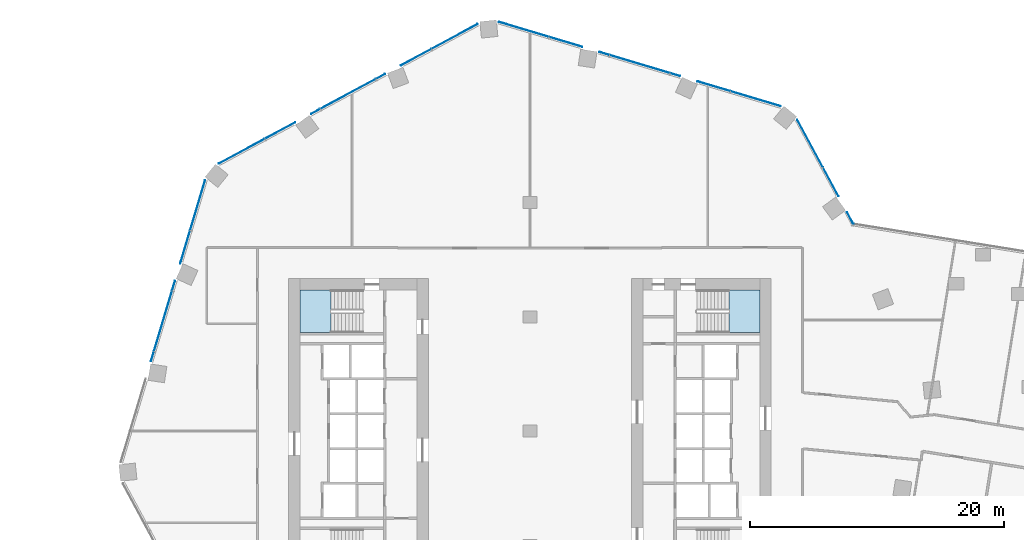
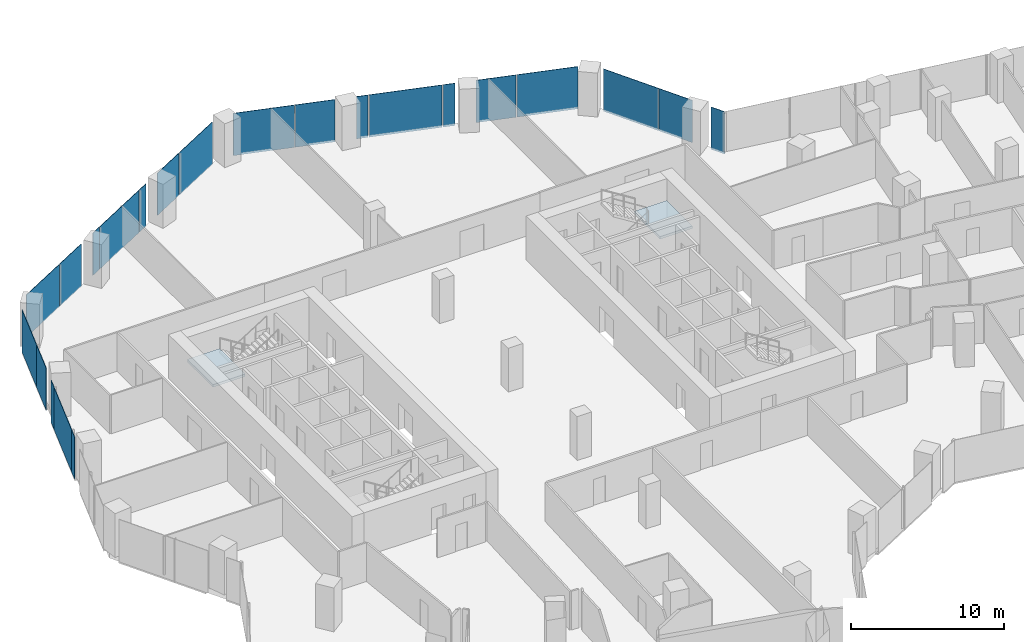
# One storey, part 23 of 34: 22 plates, 2 slabs, 6 elements without a shape of their own.
"""IFC4 building model written with IfcOpenShell, lengths in metres."""

from ifc_helpers import new_model, si_unit, direction, frame, origin, origin_2d, place, context, subcontext, project, spatial, polyline, rectangle, outline, extrude, material, layer, layer_set, type_object, element, aggregate, save


model = new_model("IFC4")

# Units and contexts
model_context = context("Model", 3, precision=1e-05, world=origin(), true_north=direction((0.0, 1.0)))
body_context = subcontext(model_context, "Body", "Model", "MODEL_VIEW")
ifc_project = project(units=[si_unit("LENGTHUNIT", "METRE"), si_unit("AREAUNIT", "SQUARE_METRE"), si_unit("VOLUMEUNIT", "CUBIC_METRE"), si_unit("PLANEANGLEUNIT", "RADIAN"), si_unit("MASSUNIT", "GRAM", prefix="KILO")], contexts=[model_context])

# Site, building, storey
site_placement = place(None, origin())
site = spatial("IfcSite", under=ifc_project, at=site_placement, CompositionType="ELEMENT")
building_placement = place(site_placement, origin())
building = spatial("IfcBuilding", under=site, at=building_placement, Name="Orlundy Tower", CompositionType="ELEMENT")
storey_placement = place(building_placement, frame((0.0, 0.0, 130.699951171875)))
storey = spatial("IfcBuildingStorey", under=building, at=storey_placement, Name="L33", CompositionType="ELEMENT", Elevation=130.699951171875)

# Curtain wall, plates
ifc_material_1 = material(Name="Aluminium bronze anodised", Category="aluminium")
curtain_wall_type = type_object("IfcCurtainWallType", Name="CW1 wall", PredefinedType="NOTDEFINED", material=ifc_material_1)
curtain_wall_1_placement = place(storey_placement, origin())
curtain_wall_1 = element("IfcCurtainWall", 1, at=curtain_wall_1_placement, inside=storey, type_object=curtain_wall_type, Name="CW1 run 02", PredefinedType="NOTDEFINED")
ifc_material_2 = material(Name="Tinted glass", Category="glass")
ifc_layer_1 = layer(ifc_material_2, 0.031982421875)
ifc_layer_set_1 = layer_set([ifc_layer_1], Name="CW1 glass panel 32")
plate_type = type_object("IfcPlateType", Name="CW1 glass panel 32", PredefinedType="CURTAIN_PANEL", material=ifc_layer_set_1)
plate_1_placement = place(storey_placement, frame((-29.731201171875, 5.86474609375, -0.27978515625), z_axis=(0.0, 0.0, 1.0), x_axis=(0.286816257107, 0.957985612971, 0.0)))
plate_1 = element("IfcPlate", 2, at=plate_1_placement, type_object=plate_type, Name="CW1 panel", PredefinedType="CURTAIN_PANEL", context=body_context, shape_type="SweptSolid", body=[
    extrude(rectangle(XDim=0.796630859375, YDim=0.031982421875, at=origin_2d()), origin(), (0.0, 0.0, 1.0), 3.3798828125),
])
plate_2_placement = place(storey_placement, frame((-28.897216796875, 8.651123046875, -0.27978515625), z_axis=(0.0, 0.0, 1.0), x_axis=(0.286816257107, 0.957985612971, 0.0)))
plate_2 = element("IfcPlate", 3, at=plate_2_placement, type_object=plate_type, Name="CW1 panel", PredefinedType="CURTAIN_PANEL", context=body_context, shape_type="SweptSolid", body=[
    extrude(rectangle(XDim=4.92041015625, YDim=0.031982421875, at=origin_2d()), origin(), (0.0, 0.0, 1.0), 3.3798828125),
])
plate_3_placement = place(storey_placement, frame((-28.06298828125, 11.4375, -0.27978515625), z_axis=(0.0, 0.0, 1.0), x_axis=(0.286816257107, 0.957985612971, 0.0)))
plate_3 = element("IfcPlate", 4, at=plate_3_placement, type_object=plate_type, Name="CW1 panel", PredefinedType="CURTAIN_PANEL", context=body_context, shape_type="SweptSolid", body=[
    extrude(rectangle(XDim=0.796875, YDim=0.031982421875, at=origin_2d()), origin(), (0.0, 0.0, 1.0), 3.3798828125),
])
plate_4_placement = place(storey_placement, frame((-27.1513671875, 14.481689453125, -0.27978515625), z_axis=(0.0, 0.0, 1.0), x_axis=(0.286816257107, 0.957985612971, 0.0)))
plate_4 = element("IfcPlate", 5, at=plate_4_placement, type_object=plate_type, Name="CW1 panel", PredefinedType="CURTAIN_PANEL", context=body_context, shape_type="SweptSolid", body=[
    extrude(rectangle(XDim=2.6884765625, YDim=0.031982421875, at=origin_2d()), origin(), (0.0, 0.0, 1.0), 3.3798828125),
])
plate_5_placement = place(storey_placement, frame((-26.16455078125, 17.7783203125, -0.27978515625), z_axis=(0.0, 0.0, 1.0), x_axis=(0.286816257107, 0.957985612971, 0.0)))
plate_5 = element("IfcPlate", 6, at=plate_5_placement, type_object=plate_type, Name="CW1 panel", PredefinedType="CURTAIN_PANEL", context=body_context, shape_type="SweptSolid", body=[
    extrude(rectangle(XDim=4.09375, YDim=0.031982421875, at=origin_2d()), origin(), (0.0, 0.0, 1.0), 3.3798828125),
])
aggregate(curtain_wall_1, [plate_1, plate_2, plate_3, plate_4, plate_5])

curtain_wall_2_placement = place(storey_placement, origin())
curtain_wall_2 = element("IfcCurtainWall", 7, at=curtain_wall_2_placement, inside=storey, type_object=curtain_wall_type, Name="CW1 run 03", PredefinedType="NOTDEFINED")
plate_6_placement = place(storey_placement, frame((-22.701904296875, 22.0283203125, -0.27978515625), z_axis=(0.0, 0.0, 1.0), x_axis=(0.880191882793, 0.47461800373, 0.0)))
plate_6 = element("IfcPlate", 8, at=plate_6_placement, type_object=plate_type, Name="CW1 panel", PredefinedType="CURTAIN_PANEL", context=body_context, shape_type="SweptSolid", body=[
    extrude(rectangle(XDim=4.09326171875, YDim=0.031982421875, at=origin_2d()), origin(), (0.0, 0.0, 1.0), 3.3798828125),
])
plate_7_placement = place(storey_placement, frame((-19.67138671875, 23.662353515625, -0.27978515625), z_axis=(0.0, 0.0, 1.0), x_axis=(0.880191882793, 0.47461800373, 0.0)))
plate_7 = element("IfcPlate", 9, at=plate_7_placement, type_object=plate_type, Name="CW1 panel", PredefinedType="CURTAIN_PANEL", context=body_context, shape_type="SweptSolid", body=[
    extrude(rectangle(XDim=2.69287109375, YDim=0.031982421875, at=origin_2d()), origin(), (0.0, 0.0, 1.0), 3.3798828125),
])
plate_8_placement = place(storey_placement, frame((-16.8759765625, 25.169921875, -0.27978515625), z_axis=(0.0, 0.0, 1.0), x_axis=(0.880191882793, 0.47461800373, 0.0)))
plate_8 = element("IfcPlate", 10, at=plate_8_placement, type_object=plate_type, Name="CW1 panel", PredefinedType="CURTAIN_PANEL", context=body_context, shape_type="SweptSolid", body=[
    extrude(rectangle(XDim=0.79638671875, YDim=0.031982421875, at=origin_2d()), origin(), (0.0, 0.0, 1.0), 3.3798828125),
])
plate_9_placement = place(storey_placement, frame((-14.31591796875, 26.55029296875, -0.27978515625), z_axis=(0.0, 0.0, 1.0), x_axis=(0.880191882793, 0.47461800373, 0.0)))
plate_9 = element("IfcPlate", 11, at=plate_9_placement, type_object=plate_type, Name="CW1 panel", PredefinedType="CURTAIN_PANEL", context=body_context, shape_type="SweptSolid", body=[
    extrude(rectangle(XDim=4.920654296875, YDim=0.031982421875, at=origin_2d()), origin(), (0.0, 0.0, 1.0), 3.3798828125),
])
plate_10_placement = place(storey_placement, frame((-11.755615234375, 27.930908203125, -0.27978515625), z_axis=(0.0, 0.0, 1.0), x_axis=(0.880191882793, 0.47461800373, 0.0)))
plate_10 = element("IfcPlate", 12, at=plate_10_placement, type_object=plate_type, Name="CW1 panel", PredefinedType="CURTAIN_PANEL", context=body_context, shape_type="SweptSolid", body=[
    extrude(rectangle(XDim=0.79638671875, YDim=0.031982421875, at=origin_2d()), origin(), (0.0, 0.0, 1.0), 3.3798828125),
])
plate_11_placement = place(storey_placement, frame((-8.9609375, 29.437744140625, -0.27978515625), z_axis=(0.0, 0.0, 1.0), x_axis=(0.880191882793, 0.47461800373, 0.0)))
plate_11 = element("IfcPlate", 13, at=plate_11_placement, type_object=plate_type, Name="CW1 panel", PredefinedType="CURTAIN_PANEL", context=body_context, shape_type="SweptSolid", body=[
    extrude(rectangle(XDim=2.69482421875, YDim=0.031982421875, at=origin_2d()), origin(), (0.0, 0.0, 1.0), 3.3798828125),
])
plate_12_placement = place(storey_placement, frame((-5.929443359375, 31.072509765625, -0.27978515625), z_axis=(0.0, 0.0, 1.0), x_axis=(0.880191882793, 0.47461800373, 0.0)))
plate_12 = element("IfcPlate", 14, at=plate_12_placement, type_object=plate_type, Name="CW1 panel", PredefinedType="CURTAIN_PANEL", context=body_context, shape_type="SweptSolid", body=[
    extrude(rectangle(XDim=4.09375, YDim=0.031982421875, at=origin_2d()), origin(), (0.0, 0.0, 1.0), 3.3798828125),
])
aggregate(curtain_wall_2, [plate_6, plate_7, plate_8, plate_9, plate_10, plate_11, plate_12])

curtain_wall_3_placement = place(storey_placement, origin())
curtain_wall_3 = element("IfcCurtainWall", 15, at=curtain_wall_3_placement, inside=storey, type_object=curtain_wall_type, Name="CW1 run 04", PredefinedType="NOTDEFINED")
plate_13_placement = place(storey_placement, frame((-0.47607421875, 31.629638671875, -0.27978515625), z_axis=(0.0, 0.0, 1.0), x_axis=(0.957985612971, -0.286816257107, 0.0)))
plate_13 = element("IfcPlate", 16, at=plate_13_placement, type_object=plate_type, Name="CW1 panel", PredefinedType="CURTAIN_PANEL", context=body_context, shape_type="SweptSolid", body=[
    extrude(rectangle(XDim=4.09326171875, YDim=0.031982421875, at=origin_2d()), origin(), (0.0, 0.0, 1.0), 3.3798828125),
])
plate_14_placement = place(storey_placement, frame((2.822998046875, 30.64208984375, -0.27978515625), z_axis=(0.0, 0.0, 1.0), x_axis=(0.957985612971, -0.286816257107, 0.0)))
plate_14 = element("IfcPlate", 17, at=plate_14_placement, type_object=plate_type, Name="CW1 panel", PredefinedType="CURTAIN_PANEL", context=body_context, shape_type="SweptSolid", body=[
    extrude(rectangle(XDim=2.69384765625, YDim=0.031982421875, at=origin_2d()), origin(), (0.0, 0.0, 1.0), 3.3798828125),
])
plate_15_placement = place(storey_placement, frame((5.86474609375, 29.731201171875, -0.27978515625), z_axis=(0.0, 0.0, 1.0), x_axis=(0.957985612971, -0.286816257107, 0.0)))
plate_15 = element("IfcPlate", 18, at=plate_15_placement, type_object=plate_type, Name="CW1 panel", PredefinedType="CURTAIN_PANEL", context=body_context, shape_type="SweptSolid", body=[
    extrude(rectangle(XDim=0.796630859375, YDim=0.031982421875, at=origin_2d()), origin(), (0.0, 0.0, 1.0), 3.3798828125),
])
plate_16_placement = place(storey_placement, frame((8.651123046875, 28.897216796875, -0.27978515625), z_axis=(0.0, 0.0, 1.0), x_axis=(0.957985612971, -0.286816257107, 0.0)))
plate_16 = element("IfcPlate", 19, at=plate_16_placement, type_object=plate_type, Name="CW1 panel", PredefinedType="CURTAIN_PANEL", context=body_context, shape_type="SweptSolid", body=[
    extrude(rectangle(XDim=4.92041015625, YDim=0.031982421875, at=origin_2d()), origin(), (0.0, 0.0, 1.0), 3.3798828125),
])
plate_17_placement = place(storey_placement, frame((11.4375, 28.06298828125, -0.27978515625), z_axis=(0.0, 0.0, 1.0), x_axis=(0.957985612971, -0.286816257107, 0.0)))
plate_17 = element("IfcPlate", 20, at=plate_17_placement, type_object=plate_type, Name="CW1 panel", PredefinedType="CURTAIN_PANEL", context=body_context, shape_type="SweptSolid", body=[
    extrude(rectangle(XDim=0.796875, YDim=0.031982421875, at=origin_2d()), origin(), (0.0, 0.0, 1.0), 3.3798828125),
])
plate_18_placement = place(storey_placement, frame((14.481689453125, 27.1513671875, -0.27978515625), z_axis=(0.0, 0.0, 1.0), x_axis=(0.957985612971, -0.286816257107, 0.0)))
plate_18 = element("IfcPlate", 21, at=plate_18_placement, type_object=plate_type, Name="CW1 panel", PredefinedType="CURTAIN_PANEL", context=body_context, shape_type="SweptSolid", body=[
    extrude(rectangle(XDim=2.6884765625, YDim=0.031982421875, at=origin_2d()), origin(), (0.0, 0.0, 1.0), 3.3798828125),
])
plate_19_placement = place(storey_placement, frame((17.7783203125, 26.16455078125, -0.27978515625), z_axis=(0.0, 0.0, 1.0), x_axis=(0.957985612971, -0.286816257107, 0.0)))
plate_19 = element("IfcPlate", 22, at=plate_19_placement, type_object=plate_type, Name="CW1 panel", PredefinedType="CURTAIN_PANEL", context=body_context, shape_type="SweptSolid", body=[
    extrude(rectangle(XDim=4.09375, YDim=0.031982421875, at=origin_2d()), origin(), (0.0, 0.0, 1.0), 3.3798828125),
])
aggregate(curtain_wall_3, [plate_13, plate_14, plate_15, plate_16, plate_17, plate_18, plate_19])

curtain_wall_4_placement = place(storey_placement, origin())
curtain_wall_4 = element("IfcCurtainWall", 23, at=curtain_wall_4_placement, inside=storey, type_object=curtain_wall_type, Name="CW1 run 05", PredefinedType="NOTDEFINED")
plate_20_placement = place(storey_placement, frame((22.0634765625, 22.636962890625, -0.27978515625), z_axis=(0.0, 0.0, 1.0), x_axis=(0.4746239814, -0.880188659482, 0.0)))
plate_20 = element("IfcPlate", 24, at=plate_20_placement, type_object=plate_type, Name="CW1 panel", PredefinedType="CURTAIN_PANEL", context=body_context, shape_type="SweptSolid", body=[
    extrude(rectangle(XDim=4.2412109375, YDim=0.031982421875, at=origin_2d()), origin(), (0.0, 0.0, 1.0), 3.3798828125),
])
plate_21_placement = place(storey_placement, frame((23.69775390625, 19.606201171875, -0.27978515625), z_axis=(0.0, 0.0, 1.0), x_axis=(0.4746239814, -0.880188659482, 0.0)))
plate_21 = element("IfcPlate", 25, at=plate_21_placement, type_object=plate_type, Name="CW1 panel", PredefinedType="CURTAIN_PANEL", context=body_context, shape_type="SweptSolid", body=[
    extrude(rectangle(XDim=2.545166015625, YDim=0.031982421875, at=origin_2d()), origin(), (0.0, 0.0, 1.0), 3.3798828125),
])
plate_22_placement = place(storey_placement, frame((25.22705078125, 16.770263671875, -0.27978515625), z_axis=(0.0, 0.0, 1.0), x_axis=(0.4746239814, -0.880188659482, 0.0)))
plate_22 = element("IfcPlate", 26, at=plate_22_placement, type_object=plate_type, Name="CW1 panel", PredefinedType="CURTAIN_PANEL", context=body_context, shape_type="SweptSolid", body=[
    extrude(rectangle(XDim=1.03662109375, YDim=0.031982421875, at=origin_2d()), origin(), (0.0, 0.0, 1.0), 3.3798828125),
])
aggregate(curtain_wall_4, [plate_20, plate_21, plate_22])

# Stair, slab
ifc_material_3 = material(Name="Concrete C50/60", Category="concrete")
stair_type = type_object("IfcStairType", Name="Exit Stair 20 risers", PredefinedType="HALF_TURN_STAIR", material=ifc_material_3)
stair_1_placement = place(storey_placement, origin())
stair_1 = element("IfcStair", 27, at=stair_1_placement, inside=storey, type_object=stair_type, Name="L33 Exit Stair ST-W1", PredefinedType="HALF_TURN_STAIR")
ifc_material_4 = material(Name="Concrete C50/60", Category="concrete")
ifc_layer_2 = layer(ifc_material_4, 0.199951171875)
ifc_layer_set_2 = layer_set([ifc_layer_2], Name="Exit Stair Landing")
slab_type = type_object("IfcSlabType", Name="Exit Stair Landing", PredefinedType="LANDING", material=ifc_layer_set_2)
slab_1_placement = place(storey_placement, frame((0.0, 0.0, 1.550048828125)))
slab_1 = element("IfcSlab", 28, at=slab_1_placement, type_object=slab_type, Name="ST-W1 landing 1", PredefinedType="LANDING", context=body_context, shape_type="SweptSolid", body=[
    extrude(outline(polyline([(-15.659912109375, 11.10009765625), (-18.10009765625, 11.10009765625), (-18.10009765625, 7.75), (-15.659912109375, 7.75), (-15.659912109375, 11.10009765625)])), origin(), (0.0, 0.0, 1.0), 0.199951171875),
])
aggregate(stair_1, [slab_1])

stair_2_placement = place(storey_placement, origin())
stair_2 = element("IfcStair", 29, at=stair_2_placement, inside=storey, type_object=stair_type, Name="L33 Exit Stair ST-E2", PredefinedType="HALF_TURN_STAIR")
slab_2_placement = place(storey_placement, frame((0.0, 0.0, 1.550048828125)))
slab_2 = element("IfcSlab", 30, at=slab_2_placement, type_object=slab_type, Name="ST-E2 landing 1", PredefinedType="LANDING", context=body_context, shape_type="SweptSolid", body=[
    extrude(outline(polyline([(15.659912109375, 7.75), (18.10009765625, 7.75), (18.10009765625, 11.10009765625), (15.659912109375, 11.10009765625), (15.659912109375, 7.75)])), origin(), (0.0, 0.0, 1.0), 0.199951171875),
])
aggregate(stair_2, [slab_2])

save(model, "model.ifc")
